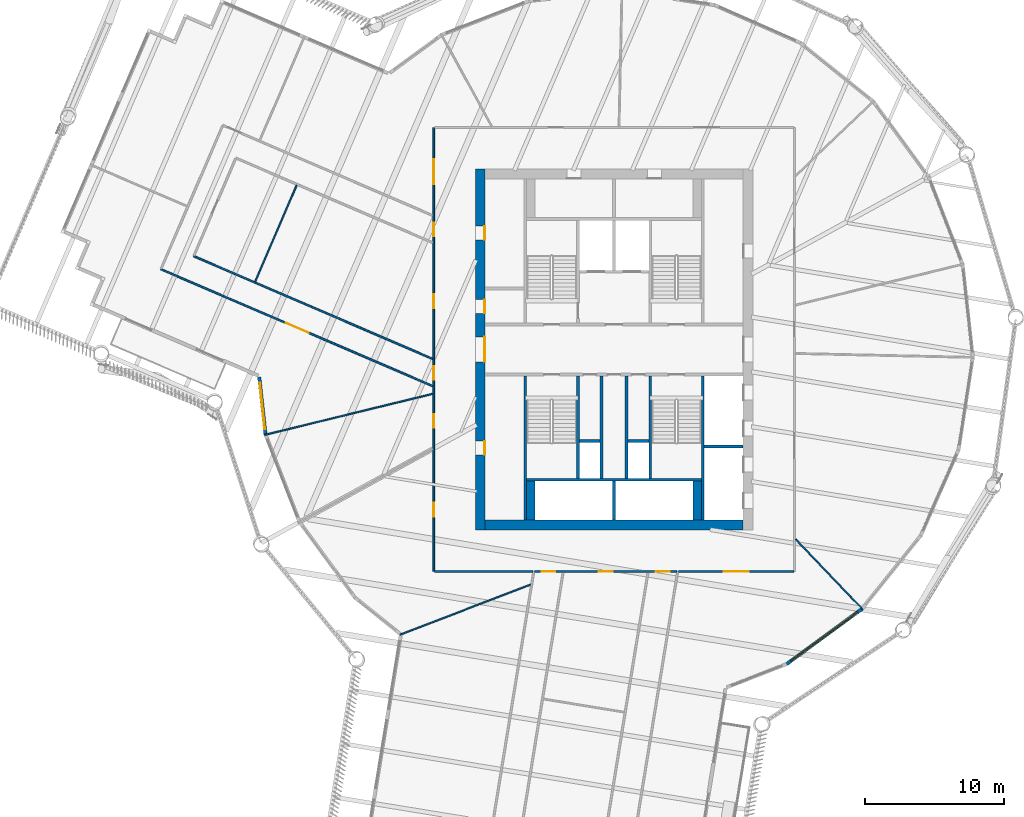
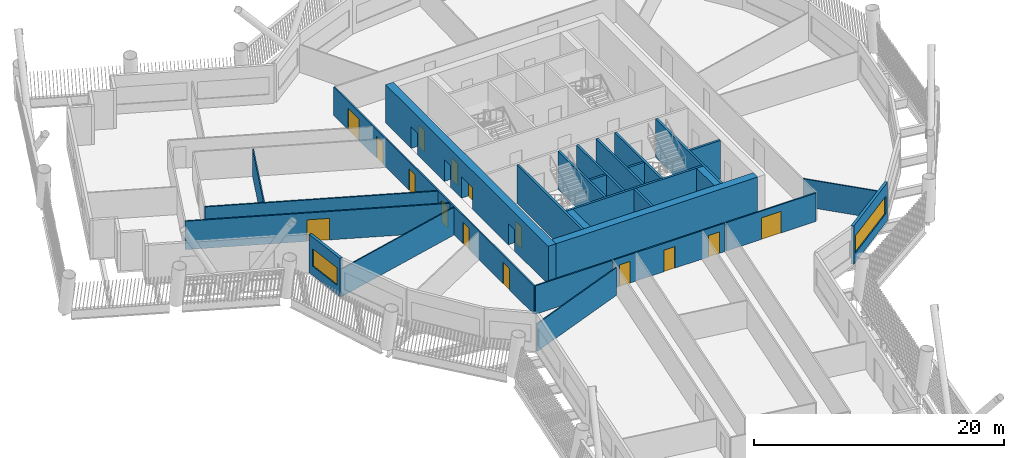
# One storey, part 4 of 22: 27 walls, 15 doors, 2 windows, 17 openings.
"""IFC4 building model written with IfcOpenShell, lengths in metres."""

from ifc_helpers import new_model, si_unit, direction, frame, frame_2d, origin, place, context, subcontext, project, spatial, rectangle, extrude, material, layer, layer_set, type_object, element, fill, save


model = new_model("IFC4")

# Units and contexts
model_context = context("Model", 3, precision=1e-05, world=origin(), true_north=direction((0.0, 1.0)))
body_context = subcontext(model_context, "Body", "Model", "MODEL_VIEW")
ifc_project = project(units=[si_unit("LENGTHUNIT", "METRE"), si_unit("AREAUNIT", "SQUARE_METRE"), si_unit("VOLUMEUNIT", "CUBIC_METRE"), si_unit("PLANEANGLEUNIT", "RADIAN"), si_unit("MASSUNIT", "GRAM", prefix="KILO")], contexts=[model_context])

# Site, building, storey
site_placement = place(None, origin())
site = spatial("IfcSite", under=ifc_project, at=site_placement, CompositionType="ELEMENT")
building_placement = place(site_placement, origin())
building = spatial("IfcBuilding", under=site, at=building_placement, Name="Tarsis Ring Headquarters", CompositionType="ELEMENT")
storey_placement = place(building_placement, frame((0.0, 0.0, 186.60009765625)))
storey = spatial("IfcBuildingStorey", under=building, at=storey_placement, Name="L43", CompositionType="ELEMENT", Elevation=186.60009765625)

# Walls
ifc_material_1 = material(Name="Blockwork", Category="masonry")
ifc_layer_1 = layer(ifc_material_1, 0.199951171875)
ifc_layer_set_1 = layer_set([ifc_layer_1], Name="Core blockwork wall 200")
wall_type_1 = type_object("IfcWallType", Name="Core blockwork wall 200", PredefinedType="PARTITIONING", material=ifc_layer_set_1)
for number, where, z_axis, x_axis, name in (
    (1, (-2.5, -6.60009765625, 0.0), (0.0, 0.0, 1.0), (1.0, 0.0, 0.0), "Core partition SP1"),
    (2, (1.0, -6.60009765625, 0.0), (0.0, 0.0, 1.0), (1.0, 0.0, 0.0), "Core partition SP3"),
):
    element("IfcWall", number, at=place(storey_placement, frame(where, z_axis=z_axis, x_axis=x_axis)), inside=storey, type_object=wall_type_1, Name=name, PredefinedType="PARTITIONING", context=body_context, shape_type="SweptSolid", body=[
        extrude(rectangle(XDim=1.5, YDim=0.199951171875, at=frame_2d((0.75, 0.0))), origin(), (0.0, 0.0, 1.0), 3.739990234375),
    ])
for number, where, z_axis, x_axis, name in (
    (3, (-0.89990234375, -9.300048828125, 0.0), (0.0, 0.0, 1.0), (0.0, 1.0, 0.0), "Core partition SV1"),
    (4, (0.89990234375, -9.300048828125, 0.0), (0.0, 0.0, 1.0), (0.0, 1.0, 0.0), "Core partition SV2"),
):
    element("IfcWall", number, at=place(storey_placement, frame(where, z_axis=z_axis, x_axis=x_axis)), inside=storey, type_object=wall_type_1, Name=name, PredefinedType="PARTITIONING", context=body_context, shape_type="SweptSolid", body=[
        extrude(rectangle(XDim=7.400146484375, YDim=0.199951171875, at=frame_2d((3.7001953125, 0.0))), origin(), (0.0, 0.0, 1.0), 3.739990234375),
    ])

# Wall, openings, doors
ifc_material_2 = material(Name="Concrete C60/75", Category="concrete")
ifc_layer_2 = layer(ifc_material_2, 0.699951171875)
ifc_layer_set_2 = layer_set([ifc_layer_2], Name="Core wall 700 C60/75")
wall_type_2 = type_object("IfcWallType", Name="Core wall 700 C60/75", PredefinedType="SHEAR", material=ifc_layer_set_2)
wall_1_placement = place(storey_placement, frame((-9.64990234375, -13.0, 0.0), z_axis=(0.0, 0.0, 1.0), x_axis=(0.0, 1.0, 0.0)))
wall_1 = element("IfcWall", 5, at=wall_1_placement, inside=storey, type_object=wall_type_2, Name="Core wall OW", PredefinedType="SHEAR", context=body_context, shape_type="SweptSolid", body=[
    extrude(rectangle(XDim=26.0, YDim=0.699951171875, at=frame_2d((13.0, 0.0))), origin(), (0.0, 0.0, 1.0), 3.739990234375),
])
opening_1_placement = place(wall_1_placement, frame((5.39990234375, 0.0, 0.0)))
opening_1 = element("IfcOpeningElement", 6, at=opening_1_placement, cuts=wall_1, Name="Opening L43-C01", PredefinedType="OPENING", context=body_context, shape_type="SweptSolid", body=[
    extrude(rectangle(XDim=1.0, YDim=2.10009765625, at=frame_2d((0.5, 1.050048828125))), frame((0.0, 0.35986328125, 0.0), z_axis=(0.0, -1.0, 0.0), x_axis=(1.0, 0.0, 0.0)), (0.0, 0.0, 1.0), 0.719970703125),
])
opening_2_placement = place(wall_1_placement, frame((12.10009765625, 0.0, 0.0)))
opening_2 = element("IfcOpeningElement", 7, at=opening_2_placement, cuts=wall_1, Name="Opening L43-C02", PredefinedType="OPENING", context=body_context, shape_type="SweptSolid", body=[
    extrude(rectangle(XDim=1.800048828125, YDim=2.10009765625, at=frame_2d((0.89990234375, 1.050048828125))), frame((0.0, 0.35986328125, 0.0), z_axis=(0.0, -1.0, 0.0), x_axis=(1.0, 0.0, 0.0)), (0.0, 0.0, 1.0), 0.719970703125),
])
opening_3_placement = place(wall_1_placement, frame((15.60009765625, 0.0, 0.0)))
opening_3 = element("IfcOpeningElement", 8, at=opening_3_placement, cuts=wall_1, Name="Opening L43-C03", PredefinedType="OPENING", context=body_context, shape_type="SweptSolid", body=[
    extrude(rectangle(XDim=1.0, YDim=2.10009765625, at=frame_2d((0.5, 1.050048828125))), frame((0.0, 0.35986328125, 0.0), z_axis=(0.0, -1.0, 0.0), x_axis=(1.0, 0.0, 0.0)), (0.0, 0.0, 1.0), 0.719970703125),
])
opening_4_placement = place(wall_1_placement, frame((20.89990234375, 0.0, 0.0)))
opening_4 = element("IfcOpeningElement", 9, at=opening_4_placement, cuts=wall_1, Name="Opening L43-C04", PredefinedType="OPENING", context=body_context, shape_type="SweptSolid", body=[
    extrude(rectangle(XDim=1.0, YDim=2.10009765625, at=frame_2d((0.5, 1.050048828125))), frame((0.0, 0.35986328125, 0.0), z_axis=(0.0, -1.0, 0.0), x_axis=(1.0, 0.0, 0.0)), (0.0, 0.0, 1.0), 0.719970703125),
])
ifc_material_3 = material(Name="Steel S355", Category="steel")
door_type_1 = type_object("IfcDoorType", Name="Core entry door 1800x2100", OperationType="DOUBLE_DOOR_SINGLE_SWING", PredefinedType="DOOR", material=ifc_material_3)
door_1_placement = place(opening_2_placement, origin())
door_1 = element("IfcDoor", 10, at=door_1_placement, inside=storey, type_object=door_type_1, Name="Core entry door L43", OperationType="DOUBLE_DOOR_SINGLE_SWING", OverallHeight=2.10009765625, OverallWidth=1.800048828125, PredefinedType="DOOR", context=body_context, shape_type="SweptSolid", body=[
    extrude(rectangle(XDim=1.800048828125, YDim=2.10009765625, at=frame_2d((0.89990234375, 1.050048828125))), frame((0.0, -0.2998046875, 0.0), z_axis=(0.0, -1.0, 0.0), x_axis=(1.0, 0.0, 0.0)), (0.0, 0.0, 1.0), 0.050048828125),
])
fill(opening_2, door_1)
door_type_2 = type_object("IfcDoorType", Name="Core room door 1000x2100", OperationType="SINGLE_SWING_LEFT", PredefinedType="DOOR", material=ifc_material_3)
door_2_placement = place(opening_1_placement, origin())
door_2 = element("IfcDoor", 11, at=door_2_placement, inside=storey, type_object=door_type_2, Name="Core room door L43", OperationType="SINGLE_SWING_LEFT", OverallHeight=2.10009765625, OverallWidth=1.0, PredefinedType="DOOR", context=body_context, shape_type="SweptSolid", body=[
    extrude(rectangle(XDim=1.0, YDim=2.10009765625, at=frame_2d((0.5, 1.050048828125))), frame((0.0, -0.2998046875, 0.0), z_axis=(0.0, -1.0, 0.0), x_axis=(1.0, 0.0, 0.0)), (0.0, 0.0, 1.0), 0.050048828125),
])
fill(opening_1, door_2)
door_3_placement = place(opening_3_placement, origin())
door_3 = element("IfcDoor", 12, at=door_3_placement, inside=storey, type_object=door_type_2, Name="Core room door L43", OperationType="SINGLE_SWING_LEFT", OverallHeight=2.10009765625, OverallWidth=1.0, PredefinedType="DOOR", context=body_context, shape_type="SweptSolid", body=[
    extrude(rectangle(XDim=1.0, YDim=2.10009765625, at=frame_2d((0.5, 1.050048828125))), frame((0.0, -0.2998046875, 0.0), z_axis=(0.0, -1.0, 0.0), x_axis=(1.0, 0.0, 0.0)), (0.0, 0.0, 1.0), 0.050048828125),
])
fill(opening_3, door_3)
door_4_placement = place(opening_4_placement, origin())
door_4 = element("IfcDoor", 13, at=door_4_placement, inside=storey, type_object=door_type_2, Name="Core room door L43", OperationType="SINGLE_SWING_LEFT", OverallHeight=2.10009765625, OverallWidth=1.0, PredefinedType="DOOR", context=body_context, shape_type="SweptSolid", body=[
    extrude(rectangle(XDim=1.0, YDim=2.10009765625, at=frame_2d((0.5, 1.050048828125))), frame((0.0, -0.2998046875, 0.0), z_axis=(0.0, -1.0, 0.0), x_axis=(1.0, 0.0, 0.0)), (0.0, 0.0, 1.0), 0.050048828125),
])
fill(opening_4, door_4)

# Walls
wall_2_placement = place(storey_placement, frame((-9.300048828125, -12.64990234375, 0.0), z_axis=(0.0, 0.0, 1.0), x_axis=(1.0, 0.0, 0.0)))
element("IfcWall", 14, at=wall_2_placement, inside=storey, type_object=wall_type_2, Name="Core wall OS", PredefinedType="SHEAR", context=body_context, shape_type="SweptSolid", body=[
    extrude(rectangle(XDim=18.60009765625, YDim=0.699951171875, at=frame_2d((9.300048828125, 0.0))), origin(), (0.0, 0.0, 1.0), 3.739990234375),
])
ifc_material_4 = material(Name="Gypsum board on steel studs", Category="steel")
ifc_layer_3 = layer(ifc_material_4, 0.10009765625)
ifc_layer_set_3 = layer_set([ifc_layer_3], Name="FL partition 100 unrated")
wall_type_3 = type_object("IfcWallType", Name="FL partition 100 unrated", PredefinedType="PARTITIONING", material=ifc_layer_set_3)
wall_3_placement = place(storey_placement, frame((-25.205322265625, -6.1630859375, 0.0), z_axis=(0.0, 0.0, 1.0), x_axis=(0.971382378315, 0.237521104534, 0.0)))
element("IfcWall", 15, at=wall_3_placement, inside=storey, type_object=wall_type_3, Name="Partition PW3", PredefinedType="PARTITIONING", context=body_context, shape_type="SweptSolid", body=[
    extrude(rectangle(XDim=12.494873046875, YDim=0.10009765625, at=frame_2d((6.24755859375, 0.0))), origin(), (0.0, 0.0, 1.0), 2.699951171875),
])
wall_4_placement = place(storey_placement, frame((-15.43505859375, -20.5634765625, 0.0), z_axis=(0.0, 0.0, 1.0), x_axis=(0.933644999276, 0.358199686387, 0.0)))
element("IfcWall", 16, at=wall_4_placement, inside=storey, type_object=wall_type_3, Name="Partition PW3", PredefinedType="PARTITIONING", context=body_context, shape_type="SweptSolid", body=[
    extrude(rectangle(XDim=10.0771484375, YDim=0.10009765625, at=frame_2d((5.03857421875, 0.0))), origin(), (0.0, 0.0, 1.0), 2.699951171875),
])
wall_5_placement = place(storey_placement, frame((-25.8701171875, 4.893798828125, 0.0), z_axis=(0.0, 0.0, 1.0), x_axis=(0.394905107005, 0.918721914652, 0.0)))
element("IfcWall", 17, at=wall_5_placement, inside=storey, type_object=wall_type_3, Name="Partition PW3", PredefinedType="PARTITIONING", context=body_context, shape_type="SweptSolid", body=[
    extrude(rectangle(XDim=7.560302734375, YDim=0.10009765625, at=frame_2d((3.7802734375, 0.0))), origin(), (0.0, 0.0, 1.0), 2.699951171875),
])
wall_6_placement = place(storey_placement, frame((13.08984375, -13.6787109375, 0.0), z_axis=(0.0, 0.0, 1.0), x_axis=(0.691396469202, -0.722475551403, 0.0)))
element("IfcWall", 18, at=wall_6_placement, inside=storey, type_object=wall_type_3, Name="Partition PW3", PredefinedType="PARTITIONING", context=body_context, shape_type="SweptSolid", body=[
    extrude(rectangle(XDim=7.014892578125, YDim=0.10009765625, at=frame_2d((3.50732421875, 0.0))), origin(), (0.0, 0.0, 1.0), 2.699951171875),
])

# Wall, openings, doors
ifc_layer_4 = layer(ifc_material_4, 0.125)
ifc_layer_set_4 = layer_set([ifc_layer_4], Name="FL partition 125 EI 60 H2770")
wall_type_4 = type_object("IfcWallType", Name="FL partition 125 EI 60 H2770", PredefinedType="PARTITIONING", material=ifc_layer_set_4)
wall_7_placement = place(storey_placement, frame((-13.0, -16.0, 0.0), z_axis=(0.0, 0.0, 1.0), x_axis=(0.0, 1.0, 0.0)))
wall_7 = element("IfcWall", 19, at=wall_7_placement, inside=storey, type_object=wall_type_4, Name="Partition PW1", PredefinedType="PARTITIONING", context=body_context, shape_type="SweptSolid", body=[
    extrude(rectangle(XDim=31.998046875, YDim=0.125, at=frame_2d((15.9990234375, 0.0))), origin(), (0.0, 0.0, 1.0), 2.77001953125),
])
opening_5_placement = place(wall_7_placement, frame((27.912109375, 0.0, 0.0)))
opening_5 = element("IfcOpeningElement", 20, at=opening_5_placement, cuts=wall_7, Name="Opening D43.03", PredefinedType="OPENING", context=body_context, shape_type="SweptSolid", body=[
    extrude(rectangle(XDim=1.800048828125, YDim=2.10009765625, at=frame_2d((0.89990234375, 1.050048828125))), frame((0.0, 0.072509765625, 0.0), z_axis=(0.0, -1.0, 0.0), x_axis=(1.0, 0.0, 0.0)), (0.0, 0.0, 1.0), 0.14501953125),
])
opening_6_placement = place(wall_7_placement, frame((3.935546875, 0.0, 0.0)))
opening_6 = element("IfcOpeningElement", 21, at=opening_6_placement, cuts=wall_7, Name="Opening D43.12", PredefinedType="OPENING", context=body_context, shape_type="SweptSolid", body=[
    extrude(rectangle(XDim=1.0, YDim=2.10009765625, at=frame_2d((0.5, 1.050048828125))), frame((0.0, 0.072509765625, 0.0), z_axis=(0.0, -1.0, 0.0), x_axis=(1.0, 0.0, 0.0)), (0.0, 0.0, 1.0), 0.14501953125),
])
opening_7_placement = place(wall_7_placement, frame((10.34619140625, 0.0, 0.0)))
opening_7 = element("IfcOpeningElement", 22, at=opening_7_placement, cuts=wall_7, Name="Opening D43.13", PredefinedType="OPENING", context=body_context, shape_type="SweptSolid", body=[
    extrude(rectangle(XDim=1.0, YDim=2.10009765625, at=frame_2d((0.5, 1.050048828125))), frame((0.0, 0.072509765625, 0.0), z_axis=(0.0, -1.0, 0.0), x_axis=(1.0, 0.0, 0.0)), (0.0, 0.0, 1.0), 0.14501953125),
])
opening_8_placement = place(wall_7_placement, frame((18.976318359375, 0.0, 0.0)))
opening_8 = element("IfcOpeningElement", 23, at=opening_8_placement, cuts=wall_7, Name="Opening D43.14", PredefinedType="OPENING", context=body_context, shape_type="SweptSolid", body=[
    extrude(rectangle(XDim=1.0, YDim=2.10009765625, at=frame_2d((0.5, 1.050048828125))), frame((0.0, 0.072509765625, 0.0), z_axis=(0.0, -1.0, 0.0), x_axis=(1.0, 0.0, 0.0)), (0.0, 0.0, 1.0), 0.14501953125),
])
opening_9_placement = place(wall_7_placement, frame((13.80615234375, 0.0, 0.0)))
opening_9 = element("IfcOpeningElement", 24, at=opening_9_placement, cuts=wall_7, Name="Opening D43.20", PredefinedType="OPENING", context=body_context, shape_type="SweptSolid", body=[
    extrude(rectangle(XDim=1.0, YDim=2.10009765625, at=frame_2d((0.5, 1.050048828125))), frame((0.0, 0.072509765625, 0.0), z_axis=(0.0, -1.0, 0.0), x_axis=(1.0, 0.0, 0.0)), (0.0, 0.0, 1.0), 0.14501953125),
])
opening_10_placement = place(wall_7_placement, frame((24.146484375, 0.0, 0.0)))
opening_10 = element("IfcOpeningElement", 25, at=opening_10_placement, cuts=wall_7, Name="Opening D43.21", PredefinedType="OPENING", context=body_context, shape_type="SweptSolid", body=[
    extrude(rectangle(XDim=1.0, YDim=2.10009765625, at=frame_2d((0.5, 1.050048828125))), frame((0.0, 0.072509765625, 0.0), z_axis=(0.0, -1.0, 0.0), x_axis=(1.0, 0.0, 0.0)), (0.0, 0.0, 1.0), 0.14501953125),
])
ifc_material_5 = material(Name="Fire-rated timber door leaf in steel frame", Category="steel")
door_type_3 = type_object("IfcDoorType", Name="FL door FD60-1000", OperationType="NOTDEFINED", PredefinedType="DOOR", material=ifc_material_5)
door_5_placement = place(opening_6_placement, origin())
door_5 = element("IfcDoor", 26, at=door_5_placement, inside=storey, type_object=door_type_3, Name="Door D43.12", OperationType="SINGLE_SWING_LEFT", OverallHeight=2.10009765625, OverallWidth=1.0, PredefinedType="DOOR", context=body_context, shape_type="SweptSolid", body=[
    extrude(rectangle(XDim=1.0, YDim=2.10009765625, at=frame_2d((0.5, 1.050048828125))), frame((0.0, 0.02490234375, 0.0), z_axis=(0.0, -1.0, 0.0), x_axis=(1.0, 0.0, 0.0)), (0.0, 0.0, 1.0), 0.050048828125),
])
fill(opening_6, door_5)
door_6_placement = place(opening_7_placement, origin())
door_6 = element("IfcDoor", 27, at=door_6_placement, inside=storey, type_object=door_type_3, Name="Door D43.13", OperationType="SINGLE_SWING_RIGHT", OverallHeight=2.10009765625, OverallWidth=1.0, PredefinedType="DOOR", context=body_context, shape_type="SweptSolid", body=[
    extrude(rectangle(XDim=1.0, YDim=2.10009765625, at=frame_2d((0.5, 1.050048828125))), frame((0.0, 0.02490234375, 0.0), z_axis=(0.0, -1.0, 0.0), x_axis=(1.0, 0.0, 0.0)), (0.0, 0.0, 1.0), 0.050048828125),
])
fill(opening_7, door_6)
door_7_placement = place(opening_8_placement, origin())
door_7 = element("IfcDoor", 28, at=door_7_placement, inside=storey, type_object=door_type_3, Name="Door D43.14", OperationType="SINGLE_SWING_LEFT", OverallHeight=2.10009765625, OverallWidth=1.0, PredefinedType="DOOR", context=body_context, shape_type="SweptSolid", body=[
    extrude(rectangle(XDim=1.0, YDim=2.10009765625, at=frame_2d((0.5, 1.050048828125))), frame((0.0, 0.02490234375, 0.0), z_axis=(0.0, -1.0, 0.0), x_axis=(1.0, 0.0, 0.0)), (0.0, 0.0, 1.0), 0.050048828125),
])
fill(opening_8, door_7)
door_8_placement = place(opening_9_placement, origin())
door_8 = element("IfcDoor", 29, at=door_8_placement, inside=storey, type_object=door_type_3, Name="Door D43.20", OperationType="SINGLE_SWING_LEFT", OverallHeight=2.10009765625, OverallWidth=1.0, PredefinedType="DOOR", context=body_context, shape_type="SweptSolid", body=[
    extrude(rectangle(XDim=1.0, YDim=2.10009765625, at=frame_2d((0.5, 1.050048828125))), frame((0.0, 0.02490234375, 0.0), z_axis=(0.0, -1.0, 0.0), x_axis=(1.0, 0.0, 0.0)), (0.0, 0.0, 1.0), 0.050048828125),
])
fill(opening_9, door_8)
door_9_placement = place(opening_10_placement, origin())
door_9 = element("IfcDoor", 30, at=door_9_placement, inside=storey, type_object=door_type_3, Name="Door D43.21", OperationType="SINGLE_SWING_RIGHT", OverallHeight=2.10009765625, OverallWidth=1.0, PredefinedType="DOOR", context=body_context, shape_type="SweptSolid", body=[
    extrude(rectangle(XDim=1.0, YDim=2.10009765625, at=frame_2d((0.5, 1.050048828125))), frame((0.0, 0.02490234375, 0.0), z_axis=(0.0, -1.0, 0.0), x_axis=(1.0, 0.0, 0.0)), (0.0, 0.0, 1.0), 0.050048828125),
])
fill(opening_10, door_9)
door_type_4 = type_object("IfcDoorType", Name="FL door FD60-1800", OperationType="DOUBLE_DOOR_SINGLE_SWING", PredefinedType="DOOR", material=ifc_material_5)
door_10_placement = place(opening_5_placement, origin())
door_10 = element("IfcDoor", 31, at=door_10_placement, inside=storey, type_object=door_type_4, Name="Door D43.03", OperationType="DOUBLE_DOOR_SINGLE_SWING", OverallHeight=2.10009765625, OverallWidth=1.800048828125, PredefinedType="DOOR", context=body_context, shape_type="SweptSolid", body=[
    extrude(rectangle(XDim=1.800048828125, YDim=2.10009765625, at=frame_2d((0.89990234375, 1.050048828125))), frame((0.0, 0.02490234375, 0.0), z_axis=(0.0, -1.0, 0.0), x_axis=(1.0, 0.0, 0.0)), (0.0, 0.0, 1.0), 0.050048828125),
])
fill(opening_5, door_10)

# Wall
wall_8_placement = place(storey_placement, frame((-12.93994140625, -16.0, 0.0), z_axis=(0.0, 0.0, 1.0), x_axis=(1.0, 0.0, 0.0)))
element("IfcWall", 32, at=wall_8_placement, inside=storey, type_object=wall_type_4, Name="Partition PW1", PredefinedType="PARTITIONING", context=body_context, shape_type="SweptSolid", body=[
    extrude(rectangle(XDim=7.076416015625, YDim=0.125, at=frame_2d((3.5380859375, 0.0))), origin(), (0.0, 0.0, 1.0), 2.77001953125),
])

# Wall, openings, doors
wall_9_placement = place(storey_placement, frame((-5.728515625, -16.0, 0.0), z_axis=(0.0, 0.0, 1.0), x_axis=(1.0, 0.0, 0.0)))
wall_9 = element("IfcWall", 33, at=wall_9_placement, inside=storey, type_object=wall_type_4, Name="Partition PW1", PredefinedType="PARTITIONING", context=body_context, shape_type="SweptSolid", body=[
    extrude(rectangle(XDim=10.240234375, YDim=0.125, at=frame_2d((5.1201171875, 0.0))), origin(), (0.0, 0.0, 1.0), 2.77001953125),
])
opening_11_placement = place(wall_9_placement, frame((4.6259765625, 0.0, 0.0)))
opening_11 = element("IfcOpeningElement", 34, at=opening_11_placement, cuts=wall_9, Name="Opening D43.16", PredefinedType="OPENING", context=body_context, shape_type="SweptSolid", body=[
    extrude(rectangle(XDim=1.0, YDim=2.10009765625, at=frame_2d((0.5, 1.050048828125))), frame((0.0, 0.072509765625, 0.0), z_axis=(0.0, -1.0, 0.0), x_axis=(1.0, 0.0, 0.0)), (0.0, 0.0, 1.0), 0.14501953125),
])
opening_12_placement = place(wall_9_placement, frame((0.502197265625, 0.0, 0.0)))
opening_12 = element("IfcOpeningElement", 35, at=opening_12_placement, cuts=wall_9, Name="Opening D43.18", PredefinedType="OPENING", context=body_context, shape_type="SweptSolid", body=[
    extrude(rectangle(XDim=1.0, YDim=2.10009765625, at=frame_2d((0.5, 1.050048828125))), frame((0.0, 0.072509765625, 0.0), z_axis=(0.0, -1.0, 0.0), x_axis=(1.0, 0.0, 0.0)), (0.0, 0.0, 1.0), 0.14501953125),
])
opening_13_placement = place(wall_9_placement, frame((8.749755859375, 0.0, 0.0)))
opening_13 = element("IfcOpeningElement", 36, at=opening_13_placement, cuts=wall_9, Name="Opening D43.19", PredefinedType="OPENING", context=body_context, shape_type="SweptSolid", body=[
    extrude(rectangle(XDim=1.0, YDim=2.10009765625, at=frame_2d((0.5, 1.050048828125))), frame((0.0, 0.072509765625, 0.0), z_axis=(0.0, -1.0, 0.0), x_axis=(1.0, 0.0, 0.0)), (0.0, 0.0, 1.0), 0.14501953125),
])
door_11_placement = place(opening_11_placement, origin())
door_11 = element("IfcDoor", 37, at=door_11_placement, inside=storey, type_object=door_type_3, Name="Door D43.16", OperationType="SINGLE_SWING_LEFT", OverallHeight=2.10009765625, OverallWidth=1.0, PredefinedType="DOOR", context=body_context, shape_type="SweptSolid", body=[
    extrude(rectangle(XDim=1.0, YDim=2.10009765625, at=frame_2d((0.5, 1.050048828125))), frame((0.0, 0.02490234375, 0.0), z_axis=(0.0, -1.0, 0.0), x_axis=(1.0, 0.0, 0.0)), (0.0, 0.0, 1.0), 0.050048828125),
])
fill(opening_11, door_11)
door_12_placement = place(opening_12_placement, origin())
door_12 = element("IfcDoor", 38, at=door_12_placement, inside=storey, type_object=door_type_3, Name="Door D43.18", OperationType="SINGLE_SWING_LEFT", OverallHeight=2.10009765625, OverallWidth=1.0, PredefinedType="DOOR", context=body_context, shape_type="SweptSolid", body=[
    extrude(rectangle(XDim=1.0, YDim=2.10009765625, at=frame_2d((0.5, 1.050048828125))), frame((0.0, 0.02490234375, 0.0), z_axis=(0.0, -1.0, 0.0), x_axis=(1.0, 0.0, 0.0)), (0.0, 0.0, 1.0), 0.050048828125),
])
fill(opening_12, door_12)
door_13_placement = place(opening_13_placement, origin())
door_13 = element("IfcDoor", 39, at=door_13_placement, inside=storey, type_object=door_type_3, Name="Door D43.19", OperationType="SINGLE_SWING_RIGHT", OverallHeight=2.10009765625, OverallWidth=1.0, PredefinedType="DOOR", context=body_context, shape_type="SweptSolid", body=[
    extrude(rectangle(XDim=1.0, YDim=2.10009765625, at=frame_2d((0.5, 1.050048828125))), frame((0.0, 0.02490234375, 0.0), z_axis=(0.0, -1.0, 0.0), x_axis=(1.0, 0.0, 0.0)), (0.0, 0.0, 1.0), 0.050048828125),
])
fill(opening_13, door_13)

# Wall, opening, door
wall_10_placement = place(storey_placement, frame((4.646728515625, -16.0, 0.0), z_axis=(0.0, 0.0, 1.0), x_axis=(1.0, 0.0, 0.0)))
wall_10 = element("IfcWall", 40, at=wall_10_placement, inside=storey, type_object=wall_type_4, Name="Partition PW1", PredefinedType="PARTITIONING", context=body_context, shape_type="SweptSolid", body=[
    extrude(rectangle(XDim=8.291259765625, YDim=0.125, at=frame_2d((4.1455078125, 0.0))), origin(), (0.0, 0.0, 1.0), 2.77001953125),
])
opening_14_placement = place(wall_10_placement, frame((3.244873046875, 0.0, 0.0)))
opening_14 = element("IfcOpeningElement", 41, at=opening_14_placement, cuts=wall_10, Name="Opening D43.09", PredefinedType="OPENING", context=body_context, shape_type="SweptSolid", body=[
    extrude(rectangle(XDim=1.800048828125, YDim=2.10009765625, at=frame_2d((0.89990234375, 1.050048828125))), frame((0.0, 0.072509765625, 0.0), z_axis=(0.0, -1.0, 0.0), x_axis=(1.0, 0.0, 0.0)), (0.0, 0.0, 1.0), 0.14501953125),
])
door_14_placement = place(opening_14_placement, origin())
door_14 = element("IfcDoor", 42, at=door_14_placement, inside=storey, type_object=door_type_4, Name="Door D43.09", OperationType="DOUBLE_DOOR_SINGLE_SWING", OverallHeight=2.10009765625, OverallWidth=1.800048828125, PredefinedType="DOOR", context=body_context, shape_type="SweptSolid", body=[
    extrude(rectangle(XDim=1.800048828125, YDim=2.10009765625, at=frame_2d((0.89990234375, 1.050048828125))), frame((0.0, 0.02490234375, 0.0), z_axis=(0.0, -1.0, 0.0), x_axis=(1.0, 0.0, 0.0)), (0.0, 0.0, 1.0), 0.050048828125),
])
fill(opening_14, door_14)

wall_11_placement = place(storey_placement, frame((-32.672119140625, 5.7822265625, 0.0), z_axis=(0.0, 0.0, 1.0), x_axis=(0.918724608914, -0.394898838915, 0.0)))
wall_11 = element("IfcWall", 43, at=wall_11_placement, inside=storey, type_object=wall_type_4, Name="Partition PW1", PredefinedType="PARTITIONING", context=body_context, shape_type="SweptSolid", body=[
    extrude(rectangle(XDim=21.322265625, YDim=0.125, at=frame_2d((10.6611328125, 0.0))), origin(), (0.0, 0.0, 1.0), 2.77001953125),
])
opening_15_placement = place(wall_11_placement, frame((9.80615234375, 0.0, 0.0)))
opening_15 = element("IfcOpeningElement", 44, at=opening_15_placement, cuts=wall_11, Name="Opening D43.01", PredefinedType="OPENING", context=body_context, shape_type="SweptSolid", body=[
    extrude(rectangle(XDim=1.800048828125, YDim=2.10009765625, at=frame_2d((0.89990234375, 1.050048828125))), frame((0.0, 0.072509765625, 0.0), z_axis=(0.0, -1.0, 0.0), x_axis=(1.0, 0.0, 0.0)), (0.0, 0.0, 1.0), 0.14501953125),
])
door_15_placement = place(opening_15_placement, origin())
door_15 = element("IfcDoor", 45, at=door_15_placement, inside=storey, type_object=door_type_4, Name="Door D43.01", OperationType="DOUBLE_DOOR_SINGLE_SWING", OverallHeight=2.10009765625, OverallWidth=1.800048828125, PredefinedType="DOOR", context=body_context, shape_type="SweptSolid", body=[
    extrude(rectangle(XDim=1.800048828125, YDim=2.10009765625, at=frame_2d((0.89990234375, 1.050048828125))), frame((0.0, 0.02490234375, 0.0), z_axis=(0.0, -1.0, 0.0), x_axis=(1.0, 0.0, 0.0)), (0.0, 0.0, 1.0), 0.050048828125),
])
fill(opening_15, door_15)

# Wall
wall_12_placement = place(storey_placement, frame((-30.3076171875, 6.72509765625, 0.0), z_axis=(0.0, 0.0, 1.0), x_axis=(0.918724893241, -0.394898177433, 0.0)))
element("IfcWall", 46, at=wall_12_placement, inside=storey, type_object=wall_type_4, Name="Partition PW1", PredefinedType="PARTITIONING", context=body_context, shape_type="SweptSolid", body=[
    extrude(rectangle(XDim=18.74853515625, YDim=0.125, at=frame_2d((9.374267578125, 0.0))), origin(), (0.0, 0.0, 1.0), 2.77001953125),
])

# Wall, opening, window
ifc_material_6 = material(Name="Terracotta clad insulated panel wall", Category="masonry")
ifc_layer_5 = layer(ifc_material_6, 0.25)
ifc_layer_set_5 = layer_set([ifc_layer_5], Name="Facade wall terracotta panel 250")
wall_type_5 = type_object("IfcWallType", Name="Facade wall terracotta panel 250", PredefinedType="STANDARD", material=ifc_layer_set_5)
wall_13_placement = place(storey_placement, frame((-25.587158203125, -1.99609375, 0.0), z_axis=(0.0, 0.0, 1.0), x_axis=(0.108691231552, -0.994075558589, 0.0)))
wall_13 = element("IfcWall", 47, at=wall_13_placement, inside=storey, type_object=wall_type_5, Name="External wall L43-02", PredefinedType="STANDARD", context=body_context, shape_type="SweptSolid", body=[
    extrude(rectangle(XDim=4.15771484375, YDim=0.25, at=frame_2d((2.078857421875, 0.0))), origin(), (0.0, 0.0, 1.0), 3.739990234375),
])
opening_16_placement = place(wall_13_placement, frame((0.420166015625, 0.0, 0.89990234375)))
opening_16 = element("IfcOpeningElement", 48, at=opening_16_placement, cuts=wall_13, Name="Opening WN01", PredefinedType="OPENING", context=body_context, shape_type="SweptSolid", body=[
    extrude(rectangle(XDim=3.35009765625, YDim=1.699951171875, at=frame_2d((1.675048828125, 0.85009765625))), frame((0.0, 0.135009765625, 0.0), z_axis=(0.0, -1.0, 0.0), x_axis=(1.0, 0.0, 0.0)), (0.0, 0.0, 1.0), 0.27001953125),
])
ifc_material_7 = material(Name="Aluminium framed double glazing", Category="aluminium")
window_type_1 = type_object("IfcWindowType", Name="Facade window 3350 x 1700", PartitioningType="SINGLE_PANEL", PredefinedType="WINDOW", material=ifc_material_7)
window_1_placement = place(opening_16_placement, origin())
window_1 = element("IfcWindow", 49, at=window_1_placement, inside=storey, type_object=window_type_1, Name="Window L43-02.1", OverallHeight=1.699951171875, OverallWidth=3.35009765625, PartitioningType="SINGLE_PANEL", PredefinedType="WINDOW", context=body_context, shape_type="SweptSolid", body=[
    extrude(rectangle(XDim=3.35009765625, YDim=1.699951171875, at=frame_2d((1.675048828125, 0.85009765625))), frame((0.0, 0.030029296875, 0.0), z_axis=(0.0, -1.0, 0.0), x_axis=(1.0, 0.0, 0.0)), (0.0, 0.0, 1.0), 0.06005859375),
])
fill(opening_16, window_1)

wall_14_placement = place(storey_placement, frame((12.454345703125, -22.6767578125, 0.0), z_axis=(0.0, 0.0, 1.0), x_axis=(0.806550466541, 0.591165243331, 0.0)))
wall_14 = element("IfcWall", 50, at=wall_14_placement, inside=storey, type_object=wall_type_5, Name="External wall L43-18", PredefinedType="STANDARD", context=body_context, shape_type="SweptSolid", body=[
    extrude(rectangle(XDim=6.7216796875, YDim=0.25, at=frame_2d((3.36083984375, 0.0))), origin(), (0.0, 0.0, 1.0), 3.739990234375),
])
opening_17_placement = place(wall_14_placement, frame((0.3857421875, 0.0, 0.89990234375)))
opening_17 = element("IfcOpeningElement", 51, at=opening_17_placement, cuts=wall_14, Name="Opening WN07", PredefinedType="OPENING", context=body_context, shape_type="SweptSolid", body=[
    extrude(rectangle(XDim=5.949951171875, YDim=1.699951171875, at=frame_2d((2.97509765625, 0.85009765625))), frame((0.0, 0.135009765625, 0.0), z_axis=(0.0, -1.0, 0.0), x_axis=(1.0, 0.0, 0.0)), (0.0, 0.0, 1.0), 0.27001953125),
])
window_type_2 = type_object("IfcWindowType", Name="Facade window 5950 x 1700", PartitioningType="SINGLE_PANEL", PredefinedType="WINDOW", material=ifc_material_7)
window_2_placement = place(opening_17_placement, origin())
window_2 = element("IfcWindow", 52, at=window_2_placement, inside=storey, type_object=window_type_2, Name="Window L43-18.1", OverallHeight=1.699951171875, OverallWidth=5.949951171875, PartitioningType="SINGLE_PANEL", PredefinedType="WINDOW", context=body_context, shape_type="SweptSolid", body=[
    extrude(rectangle(XDim=5.949951171875, YDim=1.699951171875, at=frame_2d((2.97509765625, 0.85009765625))), frame((0.0, 0.030029296875, 0.0), z_axis=(0.0, -1.0, 0.0), x_axis=(1.0, 0.0, 0.0)), (0.0, 0.0, 1.0), 0.06005859375),
])
fill(opening_17, window_2)

# Walls
ifc_material_8 = material(Name="Concrete C32/40", Category="concrete")
ifc_layer_6 = layer(ifc_material_8, 0.60009765625)
ifc_layer_set_6 = layer_set([ifc_layer_6], Name="Shaft end wall 600 C32/40")
wall_type_6 = type_object("IfcWallType", Name="Shaft end wall 600 C32/40", PredefinedType="SOLIDWALL", material=ifc_layer_set_6)
for number, where, z_axis, x_axis, name in (
    (53, (-6.0, -12.300048828125, 0.0), (0.0, 0.0, 1.0), (0.0, 1.0, 0.0), "Core shaft wall SNE1"),
    (54, (6.0, -12.300048828125, 0.0), (0.0, 0.0, 1.0), (0.0, 1.0, 0.0), "Core shaft wall SNE2"),
):
    element("IfcWall", number, at=place(storey_placement, frame(where, z_axis=z_axis, x_axis=x_axis)), inside=storey, type_object=wall_type_6, Name=name, PredefinedType="SOLIDWALL", context=body_context, shape_type="SweptSolid", body=[
        extrude(rectangle(XDim=2.800048828125, YDim=0.60009765625, at=frame_2d((1.39990234375, 0.0))), origin(), (0.0, 0.0, 1.0), 3.739990234375),
    ])
ifc_layer_7 = layer(ifc_material_8, 0.199951171875)
ifc_layer_set_7 = layer_set([ifc_layer_7], Name="Shaft wall 200 C32/40")
wall_type_7 = type_object("IfcWallType", Name="Shaft wall 200 C32/40", PredefinedType="SOLIDWALL", material=ifc_layer_set_7)
for number, where, z_axis, x_axis, name in (
    (55, (-6.39990234375, -12.300048828125, 0.0), (0.0, 0.0, 1.0), (0.0, 1.0, 0.0), "Core shaft wall WB1"),
    (56, (6.39990234375, -12.300048828125, 0.0), (0.0, 0.0, 1.0), (0.0, 1.0, 0.0), "Core shaft wall EB1"),
):
    element("IfcWall", number, at=place(storey_placement, frame(where, z_axis=z_axis, x_axis=x_axis)), inside=storey, type_object=wall_type_7, Name=name, PredefinedType="SOLIDWALL", context=body_context, shape_type="SweptSolid", body=[
        extrude(rectangle(XDim=10.400146484375, YDim=0.199951171875, at=frame_2d((5.2001953125, 0.0))), origin(), (0.0, 0.0, 1.0), 3.739990234375),
    ])
wall_15_placement = place(storey_placement, frame((-6.300048828125, -9.39990234375, 0.0), z_axis=(0.0, 0.0, 1.0), x_axis=(1.0, 0.0, 0.0)))
element("IfcWall", 57, at=wall_15_placement, inside=storey, type_object=wall_type_7, Name="Core shaft wall SB", PredefinedType="SOLIDWALL", context=body_context, shape_type="SweptSolid", body=[
    extrude(rectangle(XDim=12.60009765625, YDim=0.199951171875, at=frame_2d((6.300048828125, 0.0))), origin(), (0.0, 0.0, 1.0), 3.739990234375),
])
for number, where, z_axis, x_axis, name in (
    (58, (-2.60009765625, -9.300048828125, 0.0), (0.0, 0.0, 1.0), (0.0, 1.0, 0.0), "Core shaft wall SW3"),
    (59, (2.60009765625, -9.300048828125, 0.0), (0.0, 0.0, 1.0), (0.0, 1.0, 0.0), "Core shaft wall SW4"),
):
    element("IfcWall", number, at=place(storey_placement, frame(where, z_axis=z_axis, x_axis=x_axis)), inside=storey, type_object=wall_type_7, Name=name, PredefinedType="SOLIDWALL", context=body_context, shape_type="SweptSolid", body=[
        extrude(rectangle(XDim=7.400146484375, YDim=0.199951171875, at=frame_2d((3.7001953125, 0.0))), origin(), (0.0, 0.0, 1.0), 3.739990234375),
    ])
for number, where, z_axis, x_axis, name in (
    (60, (6.5, -7.0, 0.0), (0.0, 0.0, 1.0), (1.0, 0.0, 0.0), "Core shaft wall ED2"),
    (61, (0.0, -12.300048828125, 0.0), (0.0, 0.0, 1.0), (0.0, 1.0, 0.0), "Core shaft wall SD2"),
):
    element("IfcWall", number, at=place(storey_placement, frame(where, z_axis=z_axis, x_axis=x_axis)), inside=storey, type_object=wall_type_7, Name=name, PredefinedType="SOLIDWALL", context=body_context, shape_type="SweptSolid", body=[
        extrude(rectangle(XDim=2.800048828125, YDim=0.199951171875, at=frame_2d((1.39990234375, 0.0))), origin(), (0.0, 0.0, 1.0), 3.739990234375),
    ])

save(model, "model.ifc")
